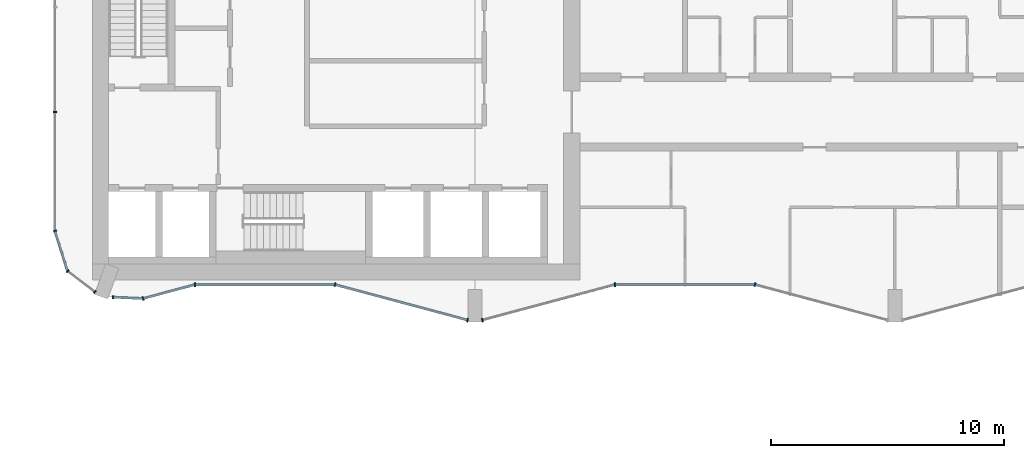
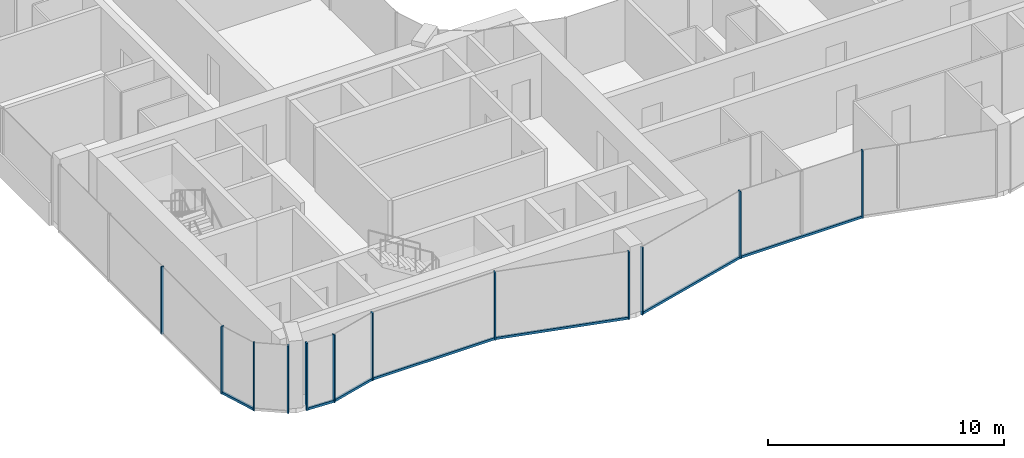
# One storey, part 2 of 22: 19 members, 10 elements without a shape of their own.
"""IFC4 building model written with IfcOpenShell, lengths in metres."""

from ifc_helpers import new_model, si_unit, direction, frame, origin, origin_2d, place, context, subcontext, project, spatial, rectangle, extrude, material, layer, layer_set, material_profile, profile_set, type_object, element, aggregate, save


model = new_model("IFC4")

# Units and contexts
model_context = context("Model", 3, precision=1e-05, world=origin(), true_north=direction((0.0, 1.0)))
body_context = subcontext(model_context, "Body", "Model", "MODEL_VIEW")
ifc_project = project(units=[si_unit("LENGTHUNIT", "METRE"), si_unit("AREAUNIT", "SQUARE_METRE"), si_unit("VOLUMEUNIT", "CUBIC_METRE"), si_unit("PLANEANGLEUNIT", "RADIAN"), si_unit("MASSUNIT", "GRAM", prefix="KILO")], contexts=[model_context])

# Site, building, storey
site_placement = place(None, origin())
site = spatial("IfcSite", under=ifc_project, at=site_placement, CompositionType="ELEMENT")
building_placement = place(site_placement, origin())
building = spatial("IfcBuilding", under=site, at=building_placement, Name="Plateau Cross Towers", CompositionType="ELEMENT")
storey_placement = place(building_placement, frame((0.0, 0.0, 65.300048828125)))
storey = spatial("IfcBuildingStorey", under=building, at=storey_placement, Name="L16", CompositionType="ELEMENT", Elevation=65.300048828125)

# Curtain wall, member
ifc_material_1 = material(Name="Dark low-iron glass", Category="glass")
ifc_layer_1 = layer(ifc_material_1, 0.239990234375)
ifc_layer_set_1 = layer_set([ifc_layer_1], Name="Dark low-iron glass")
curtain_wall_type_1 = type_object("IfcCurtainWallType", Name="Curtain wall flush unitised CW-B", PredefinedType="NOTDEFINED", material=ifc_layer_set_1)
curtain_wall_1_placement = place(storey_placement, origin())
curtain_wall_1 = element("IfcCurtainWall", 1, at=curtain_wall_1_placement, inside=storey, type_object=curtain_wall_type_1, Name="ENV/A/L16/A0_177", PredefinedType="NOTDEFINED")
ifc_material_2 = material(Name="Black anodised aluminium", Category="aluminium")
ifc_material_profile_1 = material_profile(ifc_material_2, rectangle(XDim=0.06005859375, YDim=0.139892578125, at=origin_2d()), Name="MULLION 60x140")
ifc_profile_set_1 = profile_set([ifc_material_profile_1], Name="Black anodised aluminium")
member_type_1 = type_object("IfcMemberType", Name="Mullion 60x140 flush unitised", PredefinedType="MULLION", material=ifc_profile_set_1)
member_1_placement = place(storey_placement, frame((0.0, 9.0, -0.25), z_axis=(0.0, 0.0, 1.0), x_axis=(0.0, -1.0, 0.0)))
member_1 = element("IfcMember", 2, at=member_1_placement, type_object=member_type_1, Name="CW-B mullion 3", PredefinedType="MULLION", context=body_context, shape_type="SweptSolid", body=[
    extrude(rectangle(XDim=0.06005859375, YDim=0.139892578125, at=origin_2d()), origin(), (0.0, 0.0, 1.0), 3.5),
])
aggregate(curtain_wall_1, [member_1])

curtain_wall_2_placement = place(storey_placement, origin())
curtain_wall_2 = element("IfcCurtainWall", 3, at=curtain_wall_2_placement, inside=storey, type_object=curtain_wall_type_1, Name="ENV/A/L16/A0_39", PredefinedType="NOTDEFINED")
member_2_placement = place(storey_placement, frame((0.0, 3.9091796875, -0.25), z_axis=(0.0, 0.0, 1.0), x_axis=(0.300686174994, -0.95372313811, 0.0)))
member_2 = element("IfcMember", 4, at=member_2_placement, type_object=member_type_1, Name="CW-B mullion 1", PredefinedType="MULLION", context=body_context, shape_type="SweptSolid", body=[
    extrude(rectangle(XDim=0.06005859375, YDim=0.139892578125, at=origin_2d()), origin(), (0.0, 0.0, 1.0), 3.5),
])

# Curtain wall, members
curtain_wall_3_placement = place(storey_placement, origin())
curtain_wall_3 = element("IfcCurtainWall", 5, at=curtain_wall_3_placement, inside=storey, type_object=curtain_wall_type_1, Name="ENV/A/L16/A5_22", PredefinedType="NOTDEFINED")
member_3_placement = place(storey_placement, frame((0.54248046875, 2.1884765625, -0.25), z_axis=(0.0, 0.0, 1.0), x_axis=(0.793315514529, -0.608810721331, 0.0)))
member_3 = element("IfcMember", 6, at=member_3_placement, type_object=member_type_1, Name="CW-B mullion 1", PredefinedType="MULLION", context=body_context, shape_type="SweptSolid", body=[
    extrude(rectangle(XDim=0.06005859375, YDim=0.139892578125, at=origin_2d()), origin(), (0.0, 0.0, 1.0), 3.5),
])
member_4_placement = place(storey_placement, frame((1.709716796875, 1.292724609375, -0.25), z_axis=(0.0, 0.0, 1.0), x_axis=(0.793315514529, -0.608810721331, 0.0)))
member_4 = element("IfcMember", 7, at=member_4_placement, type_object=member_type_1, Name="CW-B mullion 2", PredefinedType="MULLION", context=body_context, shape_type="SweptSolid", body=[
    extrude(rectangle(XDim=0.06005859375, YDim=0.139892578125, at=origin_2d()), origin(), (0.0, 0.0, 1.0), 3.5),
])
aggregate(curtain_wall_3, [member_3, member_4])

# Curtain wall, member
curtain_wall_4_placement = place(storey_placement, origin())
curtain_wall_4 = element("IfcCurtainWall", 8, at=curtain_wall_4_placement, inside=storey, type_object=curtain_wall_type_1, Name="ENV/A/L16/A25_11", PredefinedType="NOTDEFINED")
member_5_placement = place(storey_placement, frame((2.483642578125, 1.06787109375, -0.25), z_axis=(0.0, 0.0, 1.0), x_axis=(0.999043701491, -0.043722791671, 0.0)))
member_5 = element("IfcMember", 9, at=member_5_placement, type_object=member_type_1, Name="CW-B mullion 1", PredefinedType="MULLION", context=body_context, shape_type="SweptSolid", body=[
    extrude(rectangle(XDim=0.06005859375, YDim=0.139892578125, at=origin_2d()), origin(), (0.0, 0.0, 1.0), 3.5),
])

ifc_layer_2 = layer(ifc_material_1, 0.260009765625)
ifc_layer_set_2 = layer_set([ifc_layer_2], Name="Dark low-iron glass")
curtain_wall_type_2 = type_object("IfcCurtainWallType", Name="Curtain wall fluted unitised CW-A", PredefinedType="NOTDEFINED", material=ifc_layer_set_2)
curtain_wall_5_placement = place(storey_placement, origin())
curtain_wall_5 = element("IfcCurtainWall", 10, at=curtain_wall_5_placement, inside=storey, type_object=curtain_wall_type_2, Name="ENV/A/L16/A38_10", PredefinedType="NOTDEFINED")
ifc_material_profile_2 = material_profile(ifc_material_2, rectangle(XDim=0.06005859375, YDim=0.159912109375, at=origin_2d()), Name="MULLION 60x160")
ifc_profile_set_2 = profile_set([ifc_material_profile_2], Name="Black anodised aluminium")
member_type_2 = type_object("IfcMemberType", Name="Mullion 60x160 fluted unitised", PredefinedType="MULLION", material=ifc_profile_set_2)
member_6_placement = place(storey_placement, frame((3.776123046875, 1.01123046875, -0.25), z_axis=(0.0, 0.0, 1.0), x_axis=(0.965957962328, 0.258699081978, 0.0)))
member_6 = element("IfcMember", 11, at=member_6_placement, type_object=member_type_2, Name="CW-A mullion 1", PredefinedType="MULLION", context=body_context, shape_type="SweptSolid", body=[
    extrude(rectangle(XDim=0.06005859375, YDim=0.159912109375, at=origin_2d()), origin(), (0.0, 0.0, 1.0), 3.5),
])

curtain_wall_6_placement = place(storey_placement, origin())
curtain_wall_6 = element("IfcCurtainWall", 12, at=curtain_wall_6_placement, inside=storey, type_object=curtain_wall_type_2, Name="ENV/A/L16/A60_16", PredefinedType="NOTDEFINED")
member_7_placement = place(storey_placement, frame((6.0, 1.60693359375, -0.25), z_axis=(0.0, 0.0, 1.0), x_axis=(1.0, 0.0, 0.0)))
member_7 = element("IfcMember", 13, at=member_7_placement, type_object=member_type_2, Name="CW-A mullion 1", PredefinedType="MULLION", context=body_context, shape_type="SweptSolid", body=[
    extrude(rectangle(XDim=0.06005859375, YDim=0.159912109375, at=origin_2d()), origin(), (0.0, 0.0, 1.0), 3.5),
])

# Curtain wall, members
curtain_wall_7_placement = place(storey_placement, origin())
curtain_wall_7 = element("IfcCurtainWall", 14, at=curtain_wall_7_placement, inside=storey, type_object=curtain_wall_type_2, Name="ENV/A/L16/A120_16", PredefinedType="NOTDEFINED")
member_8_placement = place(storey_placement, frame((12.0, 1.60693359375, -0.25), z_axis=(0.0, 0.0, 1.0), x_axis=(0.965957983404, -0.258699003279, 0.0)))
member_8 = element("IfcMember", 15, at=member_8_placement, type_object=member_type_2, Name="CW-A mullion 1", PredefinedType="MULLION", context=body_context, shape_type="SweptSolid", body=[
    extrude(rectangle(XDim=0.06005859375, YDim=0.159912109375, at=origin_2d()), origin(), (0.0, 0.0, 1.0), 3.5),
])
member_9_placement = place(storey_placement, frame((17.68212890625, 0.085205078125, -0.25), z_axis=(0.0, 0.0, 1.0), x_axis=(0.965957983404, -0.258699003279, 0.0)))
member_9 = element("IfcMember", 16, at=member_9_placement, type_object=member_type_2, Name="CW-A mullion 2", PredefinedType="MULLION", context=body_context, shape_type="SweptSolid", body=[
    extrude(rectangle(XDim=0.06005859375, YDim=0.159912109375, at=origin_2d()), origin(), (0.0, 0.0, 1.0), 3.5),
])

# Curtain wall, member
curtain_wall_8_placement = place(storey_placement, origin())
curtain_wall_8 = element("IfcCurtainWall", 17, at=curtain_wall_8_placement, inside=storey, type_object=curtain_wall_type_2, Name="ENV/A/L16/A183_1", PredefinedType="NOTDEFINED")
member_10_placement = place(storey_placement, frame((18.31787109375, 0.085205078125, -0.25), z_axis=(0.0, 0.0, 1.0), x_axis=(0.965957983404, 0.258699003279, 0.0)))
member_10 = element("IfcMember", 18, at=member_10_placement, type_object=member_type_2, Name="CW-A mullion 1", PredefinedType="MULLION", context=body_context, shape_type="SweptSolid", body=[
    extrude(rectangle(XDim=0.06005859375, YDim=0.159912109375, at=origin_2d()), origin(), (0.0, 0.0, 1.0), 3.5),
])

curtain_wall_9_placement = place(storey_placement, origin())
curtain_wall_9 = element("IfcCurtainWall", 19, at=curtain_wall_9_placement, inside=storey, type_object=curtain_wall_type_2, Name="ENV/A/L16/A240_16", PredefinedType="NOTDEFINED")
member_11_placement = place(storey_placement, frame((24.0, 1.60693359375, -0.25), z_axis=(0.0, 0.0, 1.0), x_axis=(1.0, 0.0, 0.0)))
member_11 = element("IfcMember", 20, at=member_11_placement, type_object=member_type_2, Name="CW-A mullion 1", PredefinedType="MULLION", context=body_context, shape_type="SweptSolid", body=[
    extrude(rectangle(XDim=0.06005859375, YDim=0.159912109375, at=origin_2d()), origin(), (0.0, 0.0, 1.0), 3.5),
])

curtain_wall_10_placement = place(storey_placement, origin())
curtain_wall_10 = element("IfcCurtainWall", 21, at=curtain_wall_10_placement, inside=storey, type_object=curtain_wall_type_2, Name="ENV/A/L16/A300_16", PredefinedType="NOTDEFINED")
member_12_placement = place(storey_placement, frame((30.0, 1.60693359375, -0.25), z_axis=(0.0, 0.0, 1.0), x_axis=(0.965957983404, -0.258699003279, 0.0)))
member_12 = element("IfcMember", 22, at=member_12_placement, type_object=member_type_2, Name="CW-A mullion 1", PredefinedType="MULLION", context=body_context, shape_type="SweptSolid", body=[
    extrude(rectangle(XDim=0.06005859375, YDim=0.159912109375, at=origin_2d()), origin(), (0.0, 0.0, 1.0), 3.5),
])
aggregate(curtain_wall_10, [member_12])

# Member
ifc_material_profile_3 = material_profile(ifc_material_2, rectangle(XDim=0.10009765625, YDim=0.1201171875, at=origin_2d()), Name="TRANSOM 100x120")
ifc_profile_set_3 = profile_set([ifc_material_profile_3], Name="Black anodised aluminium")
member_type_3 = type_object("IfcMemberType", Name="Transom 100x120 flush unitised", PredefinedType="USERDEFINED", material=ifc_profile_set_3)
member_13_placement = place(storey_placement, frame((0.0, 3.9091796875, -0.18994140625), z_axis=(0.30067799945, -0.953725715626, 0.0), x_axis=(0.953725715626, 0.30067799945, 0.0)))
member_13 = element("IfcMember", 23, at=member_13_placement, type_object=member_type_3, Name="CW-B transom", ObjectType="TRANSOM", PredefinedType="USERDEFINED", context=body_context, shape_type="SweptSolid", body=[
    extrude(rectangle(XDim=0.10009765625, YDim=0.1201171875, at=origin_2d()), origin(), (0.0, 0.0, 1.0), 1.80419921875),
])

aggregate(curtain_wall_2, [member_2, member_13])

member_14_placement = place(storey_placement, frame((2.483642578125, 1.06787109375, -0.18994140625), z_axis=(0.999041144614, -0.043781175963, 0.0), x_axis=(0.043781175963, 0.999041144614, 0.0)))
member_14 = element("IfcMember", 24, at=member_14_placement, type_object=member_type_3, Name="CW-B transom", ObjectType="TRANSOM", PredefinedType="USERDEFINED", context=body_context, shape_type="SweptSolid", body=[
    extrude(rectangle(XDim=0.10009765625, YDim=0.1201171875, at=origin_2d()), origin(), (0.0, 0.0, 1.0), 1.293701171875),
])

aggregate(curtain_wall_4, [member_5, member_14])

ifc_material_profile_4 = material_profile(ifc_material_2, rectangle(XDim=0.10009765625, YDim=0.1201171875, at=origin_2d()), Name="TRANSOM 100x120")
ifc_profile_set_4 = profile_set([ifc_material_profile_4], Name="Black anodised aluminium")
member_type_4 = type_object("IfcMemberType", Name="Transom 100x120 fluted unitised", PredefinedType="USERDEFINED", material=ifc_profile_set_4)
member_15_placement = place(storey_placement, frame((3.776123046875, 1.01123046875, -0.18994140625), z_axis=(0.965945685136, 0.258744919501, 0.0), x_axis=(-0.258744919501, 0.965945685136, 0.0)))
member_15 = element("IfcMember", 25, at=member_15_placement, type_object=member_type_4, Name="CW-A transom", ObjectType="TRANSOM", PredefinedType="USERDEFINED", context=body_context, shape_type="SweptSolid", body=[
    extrude(rectangle(XDim=0.10009765625, YDim=0.1201171875, at=origin_2d()), origin(), (0.0, 0.0, 1.0), 2.30224609375),
])

aggregate(curtain_wall_5, [member_6, member_15])

member_16_placement = place(storey_placement, frame((6.0, 1.60693359375, -0.18994140625), z_axis=(1.0, 0.0, 0.0), x_axis=(0.0, 1.0, 0.0)))
member_16 = element("IfcMember", 26, at=member_16_placement, type_object=member_type_4, Name="CW-A transom", ObjectType="TRANSOM", PredefinedType="USERDEFINED", context=body_context, shape_type="SweptSolid", body=[
    extrude(rectangle(XDim=0.10009765625, YDim=0.1201171875, at=origin_2d()), origin(), (0.0, 0.0, 1.0), 6.0),
])

aggregate(curtain_wall_6, [member_7, member_16])

member_17_placement = place(storey_placement, frame((12.0, 1.60693359375, -0.18994140625), z_axis=(0.965959534794, -0.258693210465, 0.0), x_axis=(0.258693210465, 0.965959534794, 0.0)))
member_17 = element("IfcMember", 27, at=member_17_placement, type_object=member_type_4, Name="CW-A transom", ObjectType="TRANSOM", PredefinedType="USERDEFINED", context=body_context, shape_type="SweptSolid", body=[
    extrude(rectangle(XDim=0.10009765625, YDim=0.1201171875, at=origin_2d()), origin(), (0.0, 0.0, 1.0), 5.88232421875),
])

aggregate(curtain_wall_7, [member_8, member_9, member_17])

member_18_placement = place(storey_placement, frame((18.31787109375, 0.085205078125, -0.18994140625), z_axis=(0.965959534794, 0.258693210465, 0.0), x_axis=(-0.258693210465, 0.965959534794, 0.0)))
member_18 = element("IfcMember", 28, at=member_18_placement, type_object=member_type_4, Name="CW-A transom", ObjectType="TRANSOM", PredefinedType="USERDEFINED", context=body_context, shape_type="SweptSolid", body=[
    extrude(rectangle(XDim=0.10009765625, YDim=0.1201171875, at=origin_2d()), origin(), (0.0, 0.0, 1.0), 5.88232421875),
])

aggregate(curtain_wall_8, [member_10, member_18])

member_19_placement = place(storey_placement, frame((24.0, 1.60693359375, -0.18994140625), z_axis=(1.0, 0.0, 0.0), x_axis=(0.0, 1.0, 0.0)))
member_19 = element("IfcMember", 29, at=member_19_placement, type_object=member_type_4, Name="CW-A transom", ObjectType="TRANSOM", PredefinedType="USERDEFINED", context=body_context, shape_type="SweptSolid", body=[
    extrude(rectangle(XDim=0.10009765625, YDim=0.1201171875, at=origin_2d()), origin(), (0.0, 0.0, 1.0), 6.0),
])

aggregate(curtain_wall_9, [member_11, member_19])

save(model, "model.ifc")
